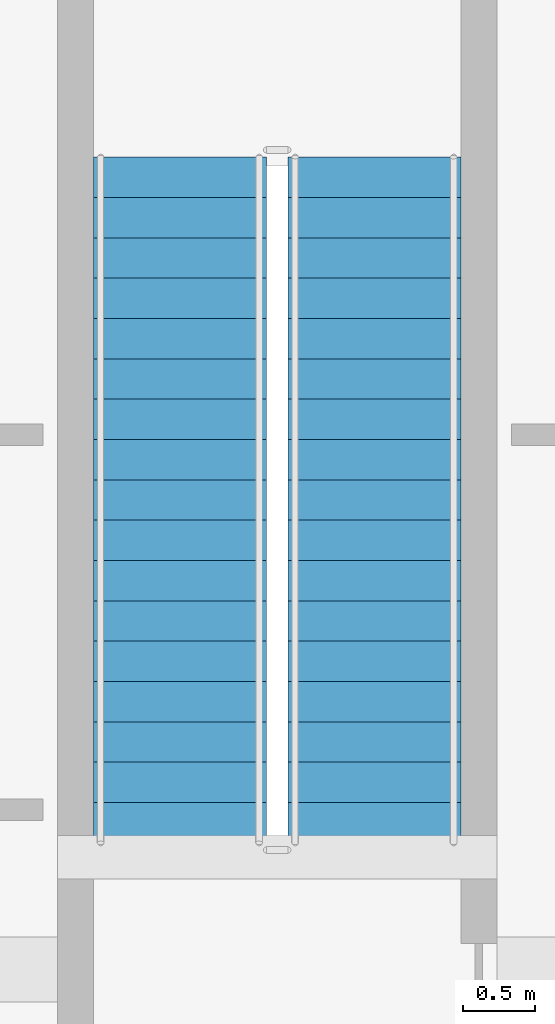
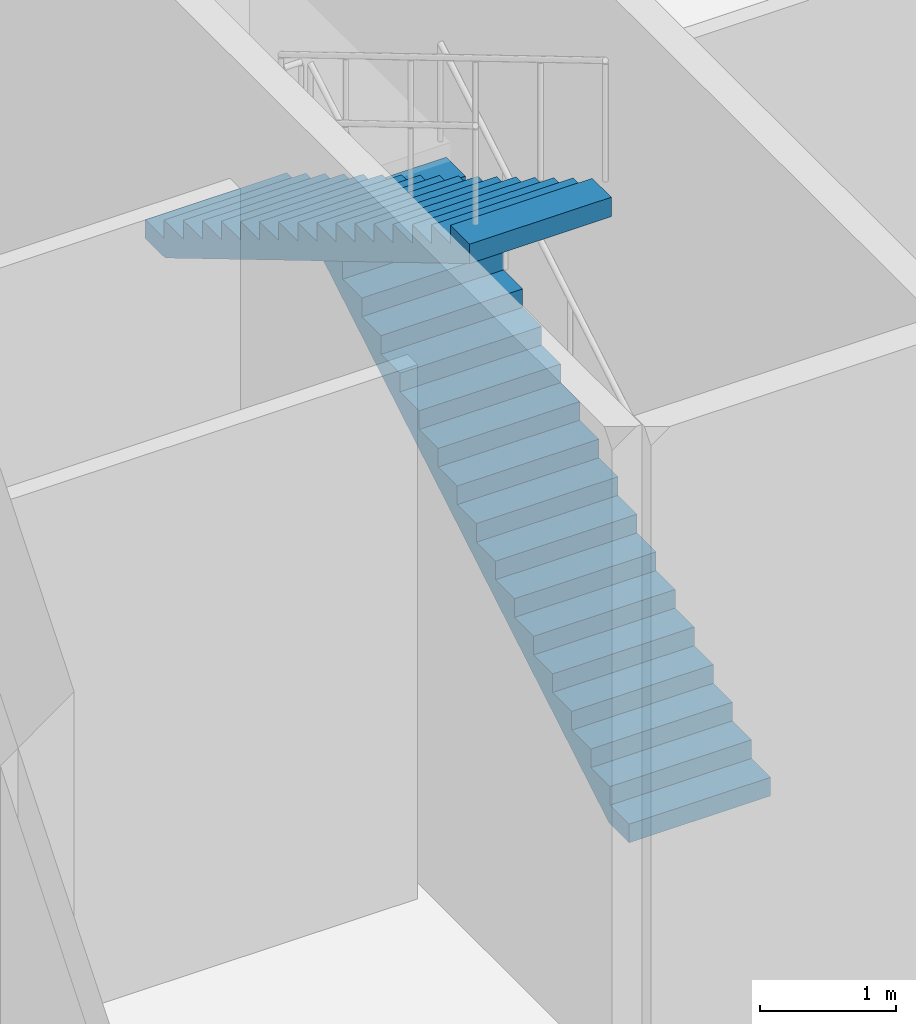
# One storey, part 16 of 24: 2 stair flights, 1 element without a shape of its own.
"""IFC4 building model written with IfcOpenShell, lengths in metres."""

from ifc_helpers import new_model, si_unit, direction, frame, origin, place, context, subcontext, project, spatial, faceted_brep, material, type_object, element, aggregate, save


model = new_model("IFC4")

# Units and contexts
model_context = context("Model", 3, precision=1e-05, world=origin(), true_north=direction((0.0, 1.0)))
body_context = subcontext(model_context, "Body", "Model", "MODEL_VIEW")
ifc_project = project(units=[si_unit("LENGTHUNIT", "METRE"), si_unit("AREAUNIT", "SQUARE_METRE"), si_unit("VOLUMEUNIT", "CUBIC_METRE"), si_unit("PLANEANGLEUNIT", "RADIAN"), si_unit("MASSUNIT", "GRAM", prefix="KILO")], contexts=[model_context])

# Site, building, storey
site_placement = place(None, origin())
site = spatial("IfcSite", under=ifc_project, at=site_placement, CompositionType="ELEMENT")
building_placement = place(site_placement, origin())
building = spatial("IfcBuilding", under=site, at=building_placement, Name="Tarsis Ring Headquarters", CompositionType="ELEMENT")
storey_placement = place(building_placement, frame((0.0, 0.0, 8.0)))
storey = spatial("IfcBuildingStorey", under=building, at=storey_placement, Name="L01", CompositionType="ELEMENT", Elevation=8.0)

# Stair, stair flights
ifc_material = material(Name="Concrete C40/50", Category="concrete")
stair_type = type_object("IfcStairType", Name="PO-ST", PredefinedType="HALF_TURN_STAIR", material=ifc_material)
stair_placement = place(storey_placement, origin())
stair = element("IfcStair", 1, at=stair_placement, inside=storey, type_object=stair_type, Name="L01 Podium stair", PredefinedType="HALF_TURN_STAIR")
stair_flight_type = type_object("IfcStairFlightType", Name="PO-STF", PredefinedType="STRAIGHT", material=ifc_material)
stair_flight_1_placement = place(storey_placement, frame((24.675048828125, 0.8798828125, 0.0), z_axis=(0.0, 0.0, 1.0), x_axis=(0.0, 1.0, 0.0)))
stair_flight_1 = element("IfcStairFlight", 2, at=stair_flight_1_placement, type_object=stair_flight_type, Name="Stair PS1 flight 1", NumberOfRisers=18, NumberOfTreads=17, PredefinedType="STRAIGHT", RiserHeight=0.166666667, TreadLength=0.28, context=body_context, shape_type="Brep", body=[
    faceted_brep([(0.0, 0.60009765625, 0.0), (0.0, 0.60009765625, 0.166748046875), (0.280029296875, 0.60009765625, 0.166748046875), (0.280029296875, 0.60009765625, 0.333251953125), (0.56005859375, 0.60009765625, 0.333251953125), (0.56005859375, 0.60009765625, 0.5), (0.840087890625, 0.60009765625, 0.5), (0.840087890625, 0.60009765625, 0.666748046875), (1.1201171875, 0.60009765625, 0.666748046875), (1.1201171875, 0.60009765625, 0.833251953125), (1.39990234375, 0.60009765625, 0.833251953125), (1.39990234375, 0.60009765625, 1.0), (1.679931640625, 0.60009765625, 1.0), (1.679931640625, 0.60009765625, 1.166748046875), (1.9599609375, 0.60009765625, 1.166748046875), (1.9599609375, 0.60009765625, 1.333251953125), (2.239990234375, 0.60009765625, 1.333251953125), (2.239990234375, 0.60009765625, 1.5), (2.52001953125, 0.60009765625, 1.5), (2.52001953125, 0.60009765625, 1.666748046875), (2.800048828125, 0.60009765625, 1.666748046875), (2.800048828125, 0.60009765625, 1.833251953125), (3.080078125, 0.60009765625, 1.833251953125), (3.080078125, 0.60009765625, 2.0), (3.360107421875, 0.60009765625, 2.0), (3.360107421875, 0.60009765625, 2.166748046875), (3.639892578125, 0.60009765625, 2.166748046875), (3.639892578125, 0.60009765625, 2.333251953125), (3.919921875, 0.60009765625, 2.333251953125), (3.919921875, 0.60009765625, 2.5), (4.199951171875, 0.60009765625, 2.5), (4.199951171875, 0.60009765625, 2.666748046875), (4.47998046875, 0.60009765625, 2.666748046875), (4.47998046875, 0.60009765625, 2.833251953125), (4.760009765625, 0.60009765625, 2.833251953125), (4.760009765625, 0.60009765625, 2.658935546875), (0.29296875, 0.60009765625, 0.0), (0.29296875, -0.60009765625, 0.0), (4.760009765625, -0.60009765625, 2.658935546875), (4.760009765625, -0.60009765625, 2.833251953125), (4.47998046875, -0.60009765625, 2.833251953125), (4.47998046875, -0.60009765625, 2.666748046875), (4.199951171875, -0.60009765625, 2.666748046875), (4.199951171875, -0.60009765625, 2.5), (3.919921875, -0.60009765625, 2.5), (3.919921875, -0.60009765625, 2.333251953125), (3.639892578125, -0.60009765625, 2.333251953125), (3.639892578125, -0.60009765625, 2.166748046875), (3.360107421875, -0.60009765625, 2.166748046875), (3.360107421875, -0.60009765625, 2.0), (3.080078125, -0.60009765625, 2.0), (3.080078125, -0.60009765625, 1.833251953125), (2.800048828125, -0.60009765625, 1.833251953125), (2.800048828125, -0.60009765625, 1.666748046875), (2.52001953125, -0.60009765625, 1.666748046875), (2.52001953125, -0.60009765625, 1.5), (2.239990234375, -0.60009765625, 1.5), (2.239990234375, -0.60009765625, 1.333251953125), (1.9599609375, -0.60009765625, 1.333251953125), (1.9599609375, -0.60009765625, 1.166748046875), (1.679931640625, -0.60009765625, 1.166748046875), (1.679931640625, -0.60009765625, 1.0), (1.39990234375, -0.60009765625, 1.0), (1.39990234375, -0.60009765625, 0.833251953125), (1.1201171875, -0.60009765625, 0.833251953125), (1.1201171875, -0.60009765625, 0.666748046875), (0.840087890625, -0.60009765625, 0.666748046875), (0.840087890625, -0.60009765625, 0.5), (0.56005859375, -0.60009765625, 0.5), (0.56005859375, -0.60009765625, 0.333251953125), (0.280029296875, -0.60009765625, 0.333251953125), (0.280029296875, -0.60009765625, 0.166748046875), (0.0, -0.60009765625, 0.166748046875), (0.0, -0.60009765625, 0.0), (0.0, -0.300048828125, 0.166748046875), (0.0, -0.300048828125, 0.0), (0.0, 0.0, 0.166748046875), (0.0, 0.0, 0.0), (0.0, 0.300048828125, 0.166748046875), (0.0, 0.300048828125, 0.0), (0.280029296875, -0.300048828125, 0.166748046875), (0.280029296875, 0.0, 0.166748046875), (0.280029296875, 0.300048828125, 0.166748046875), (0.280029296875, -0.300048828125, 0.333251953125), (0.280029296875, 0.0, 0.333251953125), (0.280029296875, 0.300048828125, 0.333251953125), (0.56005859375, -0.300048828125, 0.333251953125), (0.56005859375, 0.0, 0.333251953125), (0.56005859375, 0.300048828125, 0.333251953125), (0.56005859375, -0.300048828125, 0.5), (0.56005859375, 0.0, 0.5), (0.56005859375, 0.300048828125, 0.5), (0.840087890625, -0.300048828125, 0.5), (0.840087890625, 0.0, 0.5), (0.840087890625, 0.300048828125, 0.5), (0.840087890625, -0.300048828125, 0.666748046875), (0.840087890625, 0.0, 0.666748046875), (0.840087890625, 0.300048828125, 0.666748046875), (1.1201171875, -0.300048828125, 0.666748046875), (1.1201171875, 0.0, 0.666748046875), (1.1201171875, 0.300048828125, 0.666748046875), (1.1201171875, -0.300048828125, 0.833251953125), (1.1201171875, 0.0, 0.833251953125), (1.1201171875, 0.300048828125, 0.833251953125), (1.39990234375, -0.300048828125, 0.833251953125), (1.39990234375, 0.0, 0.833251953125), (1.39990234375, 0.300048828125, 0.833251953125), (1.39990234375, -0.300048828125, 1.0), (1.39990234375, 0.0, 1.0), (1.39990234375, 0.300048828125, 1.0), (1.679931640625, -0.300048828125, 1.0), (1.679931640625, 0.0, 1.0), (1.679931640625, 0.300048828125, 1.0), (1.679931640625, -0.300048828125, 1.166748046875), (1.679931640625, 0.0, 1.166748046875), (1.679931640625, 0.300048828125, 1.166748046875), (1.9599609375, -0.300048828125, 1.166748046875), (1.9599609375, 0.0, 1.166748046875), (1.9599609375, 0.300048828125, 1.166748046875), (1.9599609375, -0.300048828125, 1.333251953125), (1.9599609375, 0.0, 1.333251953125), (1.9599609375, 0.300048828125, 1.333251953125), (2.239990234375, -0.300048828125, 1.333251953125), (2.239990234375, 0.0, 1.333251953125), (2.239990234375, 0.300048828125, 1.333251953125), (2.239990234375, -0.300048828125, 1.5), (2.239990234375, 0.0, 1.5), (2.239990234375, 0.300048828125, 1.5), (2.52001953125, -0.300048828125, 1.5), (2.52001953125, 0.0, 1.5), (2.52001953125, 0.300048828125, 1.5), (2.52001953125, -0.300048828125, 1.666748046875), (2.52001953125, 0.0, 1.666748046875), (2.52001953125, 0.300048828125, 1.666748046875), (2.800048828125, -0.300048828125, 1.666748046875), (2.800048828125, 0.0, 1.666748046875), (2.800048828125, 0.300048828125, 1.666748046875), (2.800048828125, -0.300048828125, 1.833251953125), (2.800048828125, 0.0, 1.833251953125), (2.800048828125, 0.300048828125, 1.833251953125), (3.080078125, -0.300048828125, 1.833251953125), (3.080078125, 0.0, 1.833251953125), (3.080078125, 0.300048828125, 1.833251953125), (3.080078125, -0.300048828125, 2.0), (3.080078125, 0.0, 2.0), (3.080078125, 0.300048828125, 2.0), (3.360107421875, -0.300048828125, 2.0), (3.360107421875, 0.0, 2.0), (3.360107421875, 0.300048828125, 2.0), (3.360107421875, -0.300048828125, 2.166748046875), (3.360107421875, 0.0, 2.166748046875), (3.360107421875, 0.300048828125, 2.166748046875), (3.639892578125, -0.300048828125, 2.166748046875), (3.639892578125, 0.0, 2.166748046875), (3.639892578125, 0.300048828125, 2.166748046875), (3.639892578125, -0.300048828125, 2.333251953125), (3.639892578125, 0.0, 2.333251953125), (3.639892578125, 0.300048828125, 2.333251953125), (3.919921875, -0.300048828125, 2.333251953125), (3.919921875, 0.0, 2.333251953125), (3.919921875, 0.300048828125, 2.333251953125), (3.919921875, -0.300048828125, 2.5), (3.919921875, 0.0, 2.5), (3.919921875, 0.300048828125, 2.5), (4.199951171875, -0.300048828125, 2.5), (4.199951171875, 0.0, 2.5), (4.199951171875, 0.300048828125, 2.5), (4.199951171875, -0.300048828125, 2.666748046875), (4.199951171875, 0.0, 2.666748046875), (4.199951171875, 0.300048828125, 2.666748046875), (4.47998046875, -0.300048828125, 2.666748046875), (4.47998046875, 0.0, 2.666748046875), (4.47998046875, 0.300048828125, 2.666748046875), (4.47998046875, -0.300048828125, 2.833251953125), (4.47998046875, 0.0, 2.833251953125), (4.47998046875, 0.300048828125, 2.833251953125), (4.760009765625, -0.300048828125, 2.833251953125), (4.760009765625, 0.0, 2.833251953125), (4.760009765625, 0.300048828125, 2.833251953125), (4.760009765625, -0.300048828125, 2.658935546875), (4.760009765625, 0.0, 2.658935546875), (4.760009765625, 0.300048828125, 2.658935546875), (0.29296875, -0.300048828125, 0.0), (0.29296875, 0.0, 0.0), (0.29296875, 0.300048828125, 0.0)], [[[0, 1, 2, 3, 4, 5, 6, 7, 8, 9, 10, 11, 12, 13, 14, 15, 16, 17, 18, 19, 20, 21, 22, 23, 24, 25, 26, 27, 28, 29, 30, 31, 32, 33, 34, 35, 36]], [[37, 38, 39, 40, 41, 42, 43, 44, 45, 46, 47, 48, 49, 50, 51, 52, 53, 54, 55, 56, 57, 58, 59, 60, 61, 62, 63, 64, 65, 66, 67, 68, 69, 70, 71, 72, 73]], [[73, 72, 74, 75]], [[75, 74, 76, 77]], [[77, 76, 78, 79]], [[79, 78, 1, 0]], [[72, 71, 80, 74]], [[74, 80, 81, 76]], [[76, 81, 82, 78]], [[78, 82, 2, 1]], [[71, 70, 83, 80]], [[80, 83, 84, 81]], [[81, 84, 85, 82]], [[82, 85, 3, 2]], [[70, 69, 86, 83]], [[83, 86, 87, 84]], [[84, 87, 88, 85]], [[85, 88, 4, 3]], [[69, 68, 89, 86]], [[86, 89, 90, 87]], [[87, 90, 91, 88]], [[88, 91, 5, 4]], [[68, 67, 92, 89]], [[89, 92, 93, 90]], [[90, 93, 94, 91]], [[91, 94, 6, 5]], [[67, 66, 95, 92]], [[92, 95, 96, 93]], [[93, 96, 97, 94]], [[94, 97, 7, 6]], [[66, 65, 98, 95]], [[95, 98, 99, 96]], [[96, 99, 100, 97]], [[97, 100, 8, 7]], [[65, 64, 101, 98]], [[98, 101, 102, 99]], [[99, 102, 103, 100]], [[100, 103, 9, 8]], [[64, 63, 104, 101]], [[101, 104, 105, 102]], [[102, 105, 106, 103]], [[103, 106, 10, 9]], [[63, 62, 107, 104]], [[104, 107, 108, 105]], [[105, 108, 109, 106]], [[106, 109, 11, 10]], [[62, 61, 110, 107]], [[107, 110, 111, 108]], [[108, 111, 112, 109]], [[109, 112, 12, 11]], [[61, 60, 113, 110]], [[110, 113, 114, 111]], [[111, 114, 115, 112]], [[112, 115, 13, 12]], [[60, 59, 116, 113]], [[113, 116, 117, 114]], [[114, 117, 118, 115]], [[115, 118, 14, 13]], [[59, 58, 119, 116]], [[116, 119, 120, 117]], [[117, 120, 121, 118]], [[118, 121, 15, 14]], [[58, 57, 122, 119]], [[119, 122, 123, 120]], [[120, 123, 124, 121]], [[121, 124, 16, 15]], [[57, 56, 125, 122]], [[122, 125, 126, 123]], [[123, 126, 127, 124]], [[124, 127, 17, 16]], [[56, 55, 128, 125]], [[125, 128, 129, 126]], [[126, 129, 130, 127]], [[127, 130, 18, 17]], [[55, 54, 131, 128]], [[128, 131, 132, 129]], [[129, 132, 133, 130]], [[130, 133, 19, 18]], [[54, 53, 134, 131]], [[131, 134, 135, 132]], [[132, 135, 136, 133]], [[133, 136, 20, 19]], [[53, 52, 137, 134]], [[134, 137, 138, 135]], [[135, 138, 139, 136]], [[136, 139, 21, 20]], [[52, 51, 140, 137]], [[137, 140, 141, 138]], [[138, 141, 142, 139]], [[139, 142, 22, 21]], [[51, 50, 143, 140]], [[140, 143, 144, 141]], [[141, 144, 145, 142]], [[142, 145, 23, 22]], [[50, 49, 146, 143]], [[143, 146, 147, 144]], [[144, 147, 148, 145]], [[145, 148, 24, 23]], [[49, 48, 149, 146]], [[146, 149, 150, 147]], [[147, 150, 151, 148]], [[148, 151, 25, 24]], [[48, 47, 152, 149]], [[149, 152, 153, 150]], [[150, 153, 154, 151]], [[151, 154, 26, 25]], [[47, 46, 155, 152]], [[152, 155, 156, 153]], [[153, 156, 157, 154]], [[154, 157, 27, 26]], [[46, 45, 158, 155]], [[155, 158, 159, 156]], [[156, 159, 160, 157]], [[157, 160, 28, 27]], [[45, 44, 161, 158]], [[158, 161, 162, 159]], [[159, 162, 163, 160]], [[160, 163, 29, 28]], [[44, 43, 164, 161]], [[161, 164, 165, 162]], [[162, 165, 166, 163]], [[163, 166, 30, 29]], [[43, 42, 167, 164]], [[164, 167, 168, 165]], [[165, 168, 169, 166]], [[166, 169, 31, 30]], [[42, 41, 170, 167]], [[167, 170, 171, 168]], [[168, 171, 172, 169]], [[169, 172, 32, 31]], [[41, 40, 173, 170]], [[170, 173, 174, 171]], [[171, 174, 175, 172]], [[172, 175, 33, 32]], [[40, 39, 176, 173]], [[173, 176, 177, 174]], [[174, 177, 178, 175]], [[175, 178, 34, 33]], [[39, 38, 179, 176]], [[176, 179, 180, 177]], [[177, 180, 181, 178]], [[178, 181, 35, 34]], [[38, 37, 182, 179]], [[179, 182, 183, 180]], [[180, 183, 184, 181]], [[181, 184, 36, 35]], [[37, 73, 75, 182]], [[182, 75, 77, 183]], [[183, 77, 79, 184]], [[184, 79, 0, 36]]]),
])
stair_flight_2_placement = place(storey_placement, frame((23.324951171875, 5.639892578125, 3.0), z_axis=(0.0, 0.0, 1.0), x_axis=(0.0, -1.0, 0.0)))
stair_flight_2 = element("IfcStairFlight", 3, at=stair_flight_2_placement, type_object=stair_flight_type, Name="Stair PS1 flight 2", NumberOfRisers=18, NumberOfTreads=17, PredefinedType="STRAIGHT", RiserHeight=0.166666667, TreadLength=0.28, context=body_context, shape_type="Brep", body=[
    faceted_brep([(0.0, 0.60009765625, 0.0), (0.0, 0.60009765625, 0.166748046875), (0.280029296875, 0.60009765625, 0.166748046875), (0.280029296875, 0.60009765625, 0.333251953125), (0.56005859375, 0.60009765625, 0.333251953125), (0.56005859375, 0.60009765625, 0.5), (0.840087890625, 0.60009765625, 0.5), (0.840087890625, 0.60009765625, 0.666748046875), (1.1201171875, 0.60009765625, 0.666748046875), (1.1201171875, 0.60009765625, 0.833251953125), (1.39990234375, 0.60009765625, 0.833251953125), (1.39990234375, 0.60009765625, 1.0), (1.679931640625, 0.60009765625, 1.0), (1.679931640625, 0.60009765625, 1.166748046875), (1.9599609375, 0.60009765625, 1.166748046875), (1.9599609375, 0.60009765625, 1.333251953125), (2.239990234375, 0.60009765625, 1.333251953125), (2.239990234375, 0.60009765625, 1.5), (2.52001953125, 0.60009765625, 1.5), (2.52001953125, 0.60009765625, 1.666748046875), (2.800048828125, 0.60009765625, 1.666748046875), (2.800048828125, 0.60009765625, 1.833251953125), (3.080078125, 0.60009765625, 1.833251953125), (3.080078125, 0.60009765625, 2.0), (3.360107421875, 0.60009765625, 2.0), (3.360107421875, 0.60009765625, 2.166748046875), (3.639892578125, 0.60009765625, 2.166748046875), (3.639892578125, 0.60009765625, 2.333251953125), (3.919921875, 0.60009765625, 2.333251953125), (3.919921875, 0.60009765625, 2.5), (4.199951171875, 0.60009765625, 2.5), (4.199951171875, 0.60009765625, 2.666748046875), (4.47998046875, 0.60009765625, 2.666748046875), (4.47998046875, 0.60009765625, 2.833251953125), (4.760009765625, 0.60009765625, 2.833251953125), (4.760009765625, 0.60009765625, 2.658935546875), (0.29296875, 0.60009765625, 0.0), (0.29296875, -0.60009765625, 0.0), (4.760009765625, -0.60009765625, 2.658935546875), (4.760009765625, -0.60009765625, 2.833251953125), (4.47998046875, -0.60009765625, 2.833251953125), (4.47998046875, -0.60009765625, 2.666748046875), (4.199951171875, -0.60009765625, 2.666748046875), (4.199951171875, -0.60009765625, 2.5), (3.919921875, -0.60009765625, 2.5), (3.919921875, -0.60009765625, 2.333251953125), (3.639892578125, -0.60009765625, 2.333251953125), (3.639892578125, -0.60009765625, 2.166748046875), (3.360107421875, -0.60009765625, 2.166748046875), (3.360107421875, -0.60009765625, 2.0), (3.080078125, -0.60009765625, 2.0), (3.080078125, -0.60009765625, 1.833251953125), (2.800048828125, -0.60009765625, 1.833251953125), (2.800048828125, -0.60009765625, 1.666748046875), (2.52001953125, -0.60009765625, 1.666748046875), (2.52001953125, -0.60009765625, 1.5), (2.239990234375, -0.60009765625, 1.5), (2.239990234375, -0.60009765625, 1.333251953125), (1.9599609375, -0.60009765625, 1.333251953125), (1.9599609375, -0.60009765625, 1.166748046875), (1.679931640625, -0.60009765625, 1.166748046875), (1.679931640625, -0.60009765625, 1.0), (1.39990234375, -0.60009765625, 1.0), (1.39990234375, -0.60009765625, 0.833251953125), (1.1201171875, -0.60009765625, 0.833251953125), (1.1201171875, -0.60009765625, 0.666748046875), (0.840087890625, -0.60009765625, 0.666748046875), (0.840087890625, -0.60009765625, 0.5), (0.56005859375, -0.60009765625, 0.5), (0.56005859375, -0.60009765625, 0.333251953125), (0.280029296875, -0.60009765625, 0.333251953125), (0.280029296875, -0.60009765625, 0.166748046875), (0.0, -0.60009765625, 0.166748046875), (0.0, -0.60009765625, 0.0), (0.0, -0.300048828125, 0.166748046875), (0.0, -0.300048828125, 0.0), (0.0, 0.0, 0.166748046875), (0.0, 0.0, 0.0), (0.0, 0.300048828125, 0.166748046875), (0.0, 0.300048828125, 0.0), (0.280029296875, -0.300048828125, 0.166748046875), (0.280029296875, 0.0, 0.166748046875), (0.280029296875, 0.300048828125, 0.166748046875), (0.280029296875, -0.300048828125, 0.333251953125), (0.280029296875, 0.0, 0.333251953125), (0.280029296875, 0.300048828125, 0.333251953125), (0.56005859375, -0.300048828125, 0.333251953125), (0.56005859375, 0.0, 0.333251953125), (0.56005859375, 0.300048828125, 0.333251953125), (0.56005859375, -0.300048828125, 0.5), (0.56005859375, 0.0, 0.5), (0.56005859375, 0.300048828125, 0.5), (0.840087890625, -0.300048828125, 0.5), (0.840087890625, 0.0, 0.5), (0.840087890625, 0.300048828125, 0.5), (0.840087890625, -0.300048828125, 0.666748046875), (0.840087890625, 0.0, 0.666748046875), (0.840087890625, 0.300048828125, 0.666748046875), (1.1201171875, -0.300048828125, 0.666748046875), (1.1201171875, 0.0, 0.666748046875), (1.1201171875, 0.300048828125, 0.666748046875), (1.1201171875, -0.300048828125, 0.833251953125), (1.1201171875, 0.0, 0.833251953125), (1.1201171875, 0.300048828125, 0.833251953125), (1.39990234375, -0.300048828125, 0.833251953125), (1.39990234375, 0.0, 0.833251953125), (1.39990234375, 0.300048828125, 0.833251953125), (1.39990234375, -0.300048828125, 1.0), (1.39990234375, 0.0, 1.0), (1.39990234375, 0.300048828125, 1.0), (1.679931640625, -0.300048828125, 1.0), (1.679931640625, 0.0, 1.0), (1.679931640625, 0.300048828125, 1.0), (1.679931640625, -0.300048828125, 1.166748046875), (1.679931640625, 0.0, 1.166748046875), (1.679931640625, 0.300048828125, 1.166748046875), (1.9599609375, -0.300048828125, 1.166748046875), (1.9599609375, 0.0, 1.166748046875), (1.9599609375, 0.300048828125, 1.166748046875), (1.9599609375, -0.300048828125, 1.333251953125), (1.9599609375, 0.0, 1.333251953125), (1.9599609375, 0.300048828125, 1.333251953125), (2.239990234375, -0.300048828125, 1.333251953125), (2.239990234375, 0.0, 1.333251953125), (2.239990234375, 0.300048828125, 1.333251953125), (2.239990234375, -0.300048828125, 1.5), (2.239990234375, 0.0, 1.5), (2.239990234375, 0.300048828125, 1.5), (2.52001953125, -0.300048828125, 1.5), (2.52001953125, 0.0, 1.5), (2.52001953125, 0.300048828125, 1.5), (2.52001953125, -0.300048828125, 1.666748046875), (2.52001953125, 0.0, 1.666748046875), (2.52001953125, 0.300048828125, 1.666748046875), (2.800048828125, -0.300048828125, 1.666748046875), (2.800048828125, 0.0, 1.666748046875), (2.800048828125, 0.300048828125, 1.666748046875), (2.800048828125, -0.300048828125, 1.833251953125), (2.800048828125, 0.0, 1.833251953125), (2.800048828125, 0.300048828125, 1.833251953125), (3.080078125, -0.300048828125, 1.833251953125), (3.080078125, 0.0, 1.833251953125), (3.080078125, 0.300048828125, 1.833251953125), (3.080078125, -0.300048828125, 2.0), (3.080078125, 0.0, 2.0), (3.080078125, 0.300048828125, 2.0), (3.360107421875, -0.300048828125, 2.0), (3.360107421875, 0.0, 2.0), (3.360107421875, 0.300048828125, 2.0), (3.360107421875, -0.300048828125, 2.166748046875), (3.360107421875, 0.0, 2.166748046875), (3.360107421875, 0.300048828125, 2.166748046875), (3.639892578125, -0.300048828125, 2.166748046875), (3.639892578125, 0.0, 2.166748046875), (3.639892578125, 0.300048828125, 2.166748046875), (3.639892578125, -0.300048828125, 2.333251953125), (3.639892578125, 0.0, 2.333251953125), (3.639892578125, 0.300048828125, 2.333251953125), (3.919921875, -0.300048828125, 2.333251953125), (3.919921875, 0.0, 2.333251953125), (3.919921875, 0.300048828125, 2.333251953125), (3.919921875, -0.300048828125, 2.5), (3.919921875, 0.0, 2.5), (3.919921875, 0.300048828125, 2.5), (4.199951171875, -0.300048828125, 2.5), (4.199951171875, 0.0, 2.5), (4.199951171875, 0.300048828125, 2.5), (4.199951171875, -0.300048828125, 2.666748046875), (4.199951171875, 0.0, 2.666748046875), (4.199951171875, 0.300048828125, 2.666748046875), (4.47998046875, -0.300048828125, 2.666748046875), (4.47998046875, 0.0, 2.666748046875), (4.47998046875, 0.300048828125, 2.666748046875), (4.47998046875, -0.300048828125, 2.833251953125), (4.47998046875, 0.0, 2.833251953125), (4.47998046875, 0.300048828125, 2.833251953125), (4.760009765625, -0.300048828125, 2.833251953125), (4.760009765625, 0.0, 2.833251953125), (4.760009765625, 0.300048828125, 2.833251953125), (4.760009765625, -0.300048828125, 2.658935546875), (4.760009765625, 0.0, 2.658935546875), (4.760009765625, 0.300048828125, 2.658935546875), (0.29296875, -0.300048828125, 0.0), (0.29296875, 0.0, 0.0), (0.29296875, 0.300048828125, 0.0)], [[[0, 1, 2, 3, 4, 5, 6, 7, 8, 9, 10, 11, 12, 13, 14, 15, 16, 17, 18, 19, 20, 21, 22, 23, 24, 25, 26, 27, 28, 29, 30, 31, 32, 33, 34, 35, 36]], [[37, 38, 39, 40, 41, 42, 43, 44, 45, 46, 47, 48, 49, 50, 51, 52, 53, 54, 55, 56, 57, 58, 59, 60, 61, 62, 63, 64, 65, 66, 67, 68, 69, 70, 71, 72, 73]], [[73, 72, 74, 75]], [[75, 74, 76, 77]], [[77, 76, 78, 79]], [[79, 78, 1, 0]], [[72, 71, 80, 74]], [[74, 80, 81, 76]], [[76, 81, 82, 78]], [[78, 82, 2, 1]], [[71, 70, 83, 80]], [[80, 83, 84, 81]], [[81, 84, 85, 82]], [[82, 85, 3, 2]], [[70, 69, 86, 83]], [[83, 86, 87, 84]], [[84, 87, 88, 85]], [[85, 88, 4, 3]], [[69, 68, 89, 86]], [[86, 89, 90, 87]], [[87, 90, 91, 88]], [[88, 91, 5, 4]], [[68, 67, 92, 89]], [[89, 92, 93, 90]], [[90, 93, 94, 91]], [[91, 94, 6, 5]], [[67, 66, 95, 92]], [[92, 95, 96, 93]], [[93, 96, 97, 94]], [[94, 97, 7, 6]], [[66, 65, 98, 95]], [[95, 98, 99, 96]], [[96, 99, 100, 97]], [[97, 100, 8, 7]], [[65, 64, 101, 98]], [[98, 101, 102, 99]], [[99, 102, 103, 100]], [[100, 103, 9, 8]], [[64, 63, 104, 101]], [[101, 104, 105, 102]], [[102, 105, 106, 103]], [[103, 106, 10, 9]], [[63, 62, 107, 104]], [[104, 107, 108, 105]], [[105, 108, 109, 106]], [[106, 109, 11, 10]], [[62, 61, 110, 107]], [[107, 110, 111, 108]], [[108, 111, 112, 109]], [[109, 112, 12, 11]], [[61, 60, 113, 110]], [[110, 113, 114, 111]], [[111, 114, 115, 112]], [[112, 115, 13, 12]], [[60, 59, 116, 113]], [[113, 116, 117, 114]], [[114, 117, 118, 115]], [[115, 118, 14, 13]], [[59, 58, 119, 116]], [[116, 119, 120, 117]], [[117, 120, 121, 118]], [[118, 121, 15, 14]], [[58, 57, 122, 119]], [[119, 122, 123, 120]], [[120, 123, 124, 121]], [[121, 124, 16, 15]], [[57, 56, 125, 122]], [[122, 125, 126, 123]], [[123, 126, 127, 124]], [[124, 127, 17, 16]], [[56, 55, 128, 125]], [[125, 128, 129, 126]], [[126, 129, 130, 127]], [[127, 130, 18, 17]], [[55, 54, 131, 128]], [[128, 131, 132, 129]], [[129, 132, 133, 130]], [[130, 133, 19, 18]], [[54, 53, 134, 131]], [[131, 134, 135, 132]], [[132, 135, 136, 133]], [[133, 136, 20, 19]], [[53, 52, 137, 134]], [[134, 137, 138, 135]], [[135, 138, 139, 136]], [[136, 139, 21, 20]], [[52, 51, 140, 137]], [[137, 140, 141, 138]], [[138, 141, 142, 139]], [[139, 142, 22, 21]], [[51, 50, 143, 140]], [[140, 143, 144, 141]], [[141, 144, 145, 142]], [[142, 145, 23, 22]], [[50, 49, 146, 143]], [[143, 146, 147, 144]], [[144, 147, 148, 145]], [[145, 148, 24, 23]], [[49, 48, 149, 146]], [[146, 149, 150, 147]], [[147, 150, 151, 148]], [[148, 151, 25, 24]], [[48, 47, 152, 149]], [[149, 152, 153, 150]], [[150, 153, 154, 151]], [[151, 154, 26, 25]], [[47, 46, 155, 152]], [[152, 155, 156, 153]], [[153, 156, 157, 154]], [[154, 157, 27, 26]], [[46, 45, 158, 155]], [[155, 158, 159, 156]], [[156, 159, 160, 157]], [[157, 160, 28, 27]], [[45, 44, 161, 158]], [[158, 161, 162, 159]], [[159, 162, 163, 160]], [[160, 163, 29, 28]], [[44, 43, 164, 161]], [[161, 164, 165, 162]], [[162, 165, 166, 163]], [[163, 166, 30, 29]], [[43, 42, 167, 164]], [[164, 167, 168, 165]], [[165, 168, 169, 166]], [[166, 169, 31, 30]], [[42, 41, 170, 167]], [[167, 170, 171, 168]], [[168, 171, 172, 169]], [[169, 172, 32, 31]], [[41, 40, 173, 170]], [[170, 173, 174, 171]], [[171, 174, 175, 172]], [[172, 175, 33, 32]], [[40, 39, 176, 173]], [[173, 176, 177, 174]], [[174, 177, 178, 175]], [[175, 178, 34, 33]], [[39, 38, 179, 176]], [[176, 179, 180, 177]], [[177, 180, 181, 178]], [[178, 181, 35, 34]], [[38, 37, 182, 179]], [[179, 182, 183, 180]], [[180, 183, 184, 181]], [[181, 184, 36, 35]], [[37, 73, 75, 182]], [[182, 75, 77, 183]], [[183, 77, 79, 184]], [[184, 79, 0, 36]]]),
])
aggregate(stair, [stair_flight_1, stair_flight_2])

save(model, "model.ifc")
